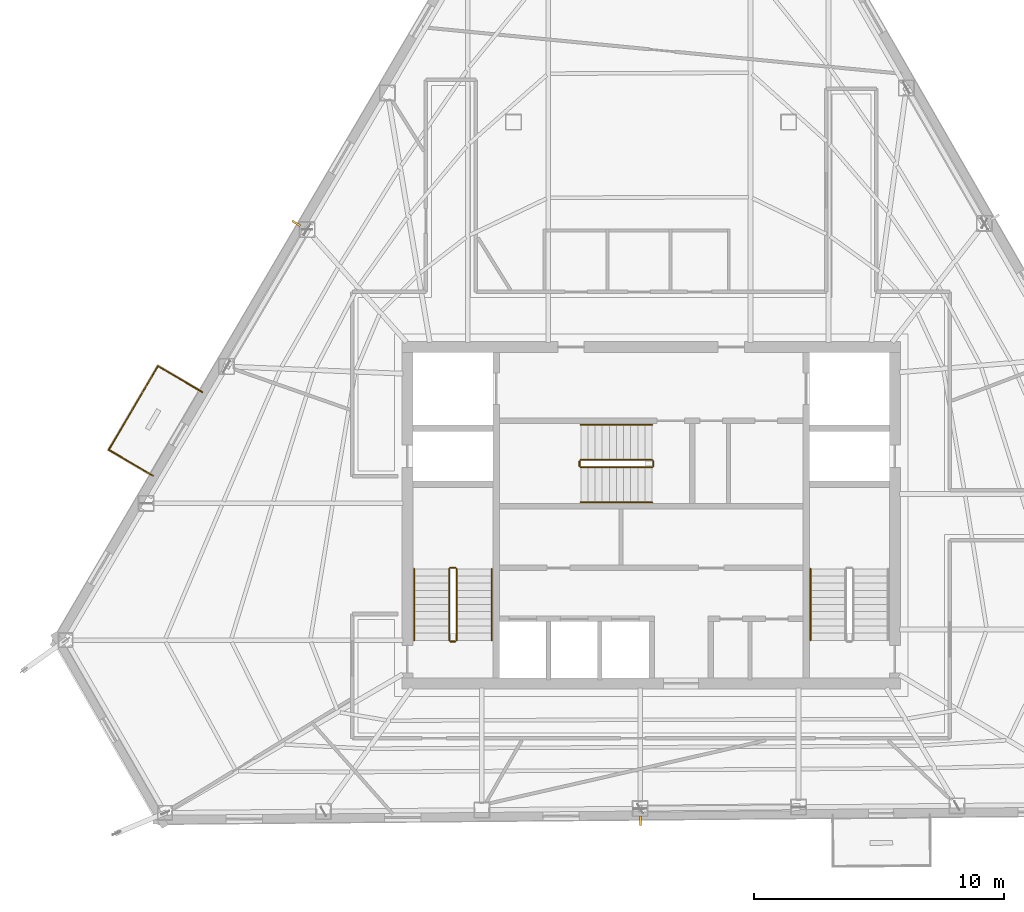
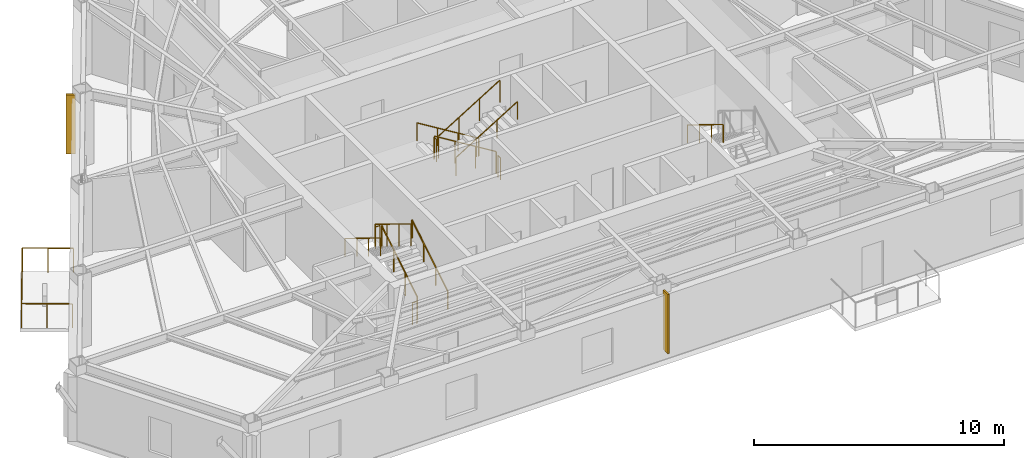
# One storey, part 12 of 14: 16 railings, 2 shading devices.
"""IFC4 building model written with IfcOpenShell, lengths in metres."""

from ifc_helpers import new_model, si_unit, direction, frame, origin, origin_2d, place, context, subcontext, project, spatial, rectangle, circle, extrude, material, layer, layer_set, type_object, element, save


model = new_model("IFC4")

# Units and contexts
model_context = context("Model", 3, precision=1e-05, world=origin(), true_north=direction((0.0, 1.0)))
body_context = subcontext(model_context, "Body", "Model", "MODEL_VIEW")
ifc_project = project(units=[si_unit("LENGTHUNIT", "METRE"), si_unit("AREAUNIT", "SQUARE_METRE"), si_unit("VOLUMEUNIT", "CUBIC_METRE"), si_unit("PLANEANGLEUNIT", "RADIAN"), si_unit("MASSUNIT", "GRAM", prefix="KILO")], contexts=[model_context])

# Site, building, storey
site_placement = place(None, origin())
site = spatial("IfcSite", under=ifc_project, at=site_placement, CompositionType="ELEMENT")
building_placement = place(site_placement, origin())
building = spatial("IfcBuilding", under=site, at=building_placement, Name="Kavelnor Concourse Tower", CompositionType="ELEMENT")
storey_placement = place(building_placement, frame((0.0, 0.0, 215.050048828125)))
storey = spatial("IfcBuildingStorey", under=building, at=storey_placement, Name="L54", CompositionType="ELEMENT", Elevation=215.050048828125)

# Railings
ifc_material_1 = material(Name="Steel Grade 350", Category="steel")
railing_type_1 = type_object("IfcRailingType", Name="RLG-GUARD-1100", PredefinedType="GUARDRAIL", material=ifc_material_1)
railing_1_placement = place(storey_placement, frame((30.22998046875, 11.10009765625, 0.175048828125)))
element("IfcRailing", 1, at=railing_1_placement, inside=storey, type_object=railing_type_1, Name="L54 ST1 stair guard 1", PredefinedType="GUARDRAIL", context=body_context, shape_type="SweptSolid", body=[
    extrude(circle(Radius=0.02392578125, at=origin_2d()), frame((0.0, 0.0, 1.076171875), z_axis=(0.0, 0.852159232446, 0.523282564737), x_axis=(-1.0, 0.0, 0.0)), (0.0, 0.0, 1.0), 3.34423828125),
    extrude(circle(Radius=0.02099609375, at=origin_2d()), origin(), (0.0, 0.0, 1.0), 1.052001953125),
    extrude(circle(Radius=0.02099609375, at=origin_2d()), frame((0.0, 0.949951171875, 0.583251953125)), (0.0, 0.0, 1.0), 1.052001953125),
    extrude(circle(Radius=0.02099609375, at=origin_2d()), frame((0.0, 1.89990234375, 1.166748046875)), (0.0, 0.0, 1.0), 1.052001953125),
    extrude(circle(Radius=0.02099609375, at=origin_2d()), frame((0.0, 2.849853515625, 1.75)), (0.0, 0.0, 1.0), 1.052001953125),
])
railing_2_placement = place(storey_placement, frame((30.179931640625, 14.0, 1.925048828125)))
element("IfcRailing", 2, at=railing_2_placement, inside=storey, type_object=railing_type_1, Name="L54 ST1 stair guard 2", PredefinedType="GUARDRAIL", context=body_context, shape_type="SweptSolid", body=[
    extrude(circle(Radius=0.02392578125, at=origin_2d()), frame((0.0, 0.0, 1.076171875), z_axis=(-1.0, 0.0, 0.0), x_axis=(0.0, -1.0, 0.0)), (0.0, 0.0, 1.0), 0.199951171875),
    extrude(circle(Radius=0.02099609375, at=origin_2d()), origin(), (0.0, 0.0, 1.0), 1.052001953125),
    extrude(circle(Radius=0.02099609375, at=origin_2d()), frame((-0.199951171875, 0.0, 0.0)), (0.0, 0.0, 1.0), 1.052001953125),
])
railing_3_placement = place(storey_placement, frame((29.929931640625, 13.949951171875, 2.099853515625)))
element("IfcRailing", 3, at=railing_3_placement, inside=storey, type_object=railing_type_1, Name="L54 ST1 stair guard 3", PredefinedType="GUARDRAIL", context=body_context, shape_type="SweptSolid", body=[
    extrude(circle(Radius=0.02392578125, at=origin_2d()), frame((0.0, 0.0, 1.076171875), z_axis=(0.0, -0.852159232446, 0.523282564737), x_axis=(1.0, 0.0, 0.0)), (0.0, 0.0, 1.0), 3.34423828125),
    extrude(circle(Radius=0.02099609375, at=origin_2d()), origin(), (0.0, 0.0, 1.0), 1.052001953125),
    extrude(circle(Radius=0.02099609375, at=origin_2d()), frame((0.0, -0.949951171875, 0.583251953125)), (0.0, 0.0, 1.0), 1.052001953125),
    extrude(circle(Radius=0.02099609375, at=origin_2d()), frame((0.0, -1.89990234375, 1.166748046875)), (0.0, 0.0, 1.0), 1.052001953125),
    extrude(circle(Radius=0.02099609375, at=origin_2d()), frame((0.0, -2.849853515625, 1.75)), (0.0, 0.0, 1.0), 1.052001953125),
])
railing_4_placement = place(storey_placement, frame((30.179931640625, 11.050048828125, 0.0)))
element("IfcRailing", 4, at=railing_4_placement, inside=storey, type_object=railing_type_1, Name="L54 ST1 stair guard 4", PredefinedType="GUARDRAIL", context=body_context, shape_type="SweptSolid", body=[
    extrude(circle(Radius=0.02392578125, at=origin_2d()), frame((0.0, 0.0, 1.076171875), z_axis=(-1.0, 0.0, 0.0), x_axis=(0.0, -1.0, 0.0)), (0.0, 0.0, 1.0), 0.199951171875),
    extrude(circle(Radius=0.02099609375, at=origin_2d()), origin(), (0.0, 0.0, 1.0), 1.052001953125),
    extrude(circle(Radius=0.02099609375, at=origin_2d()), frame((-0.199951171875, 0.0, 0.0)), (0.0, 0.0, 1.0), 1.052001953125),
])
railing_5_placement = place(storey_placement, frame((38.0400390625, 18.31005859375, 0.175048828125)))
element("IfcRailing", 5, at=railing_5_placement, inside=storey, type_object=railing_type_1, Name="L54 ST3 stair guard 1", PredefinedType="GUARDRAIL", context=body_context, shape_type="SweptSolid", body=[
    extrude(circle(Radius=0.02392578125, at=origin_2d()), frame((0.0, 0.0, 1.076171875), z_axis=(-0.852179220489, 0.0, 0.52325001306), x_axis=(0.0, -1.0, 0.0)), (0.0, 0.0, 1.0), 3.344482421875),
    extrude(circle(Radius=0.02099609375, at=origin_2d()), origin(), (0.0, 0.0, 1.0), 1.052001953125),
    extrude(circle(Radius=0.02099609375, at=origin_2d()), frame((-0.949951171875, 0.0, 0.583251953125)), (0.0, 0.0, 1.0), 1.052001953125),
    extrude(circle(Radius=0.02099609375, at=origin_2d()), frame((-1.900146484375, 0.0, 1.166748046875)), (0.0, 0.0, 1.0), 1.052001953125),
    extrude(circle(Radius=0.02099609375, at=origin_2d()), frame((-2.85009765625, 0.0, 1.75)), (0.0, 0.0, 1.0), 1.052001953125),
])
railing_6_placement = place(storey_placement, frame((35.139892578125, 18.260009765625, 1.925048828125)))
element("IfcRailing", 6, at=railing_6_placement, inside=storey, type_object=railing_type_1, Name="L54 ST3 stair guard 2", PredefinedType="GUARDRAIL", context=body_context, shape_type="SweptSolid", body=[
    extrude(circle(Radius=0.02392578125, at=origin_2d()), frame((0.0, 0.0, 1.076171875), z_axis=(0.0, -1.0, 0.0), x_axis=(1.0, 0.0, 0.0)), (0.0, 0.0, 1.0), 0.199951171875),
    extrude(circle(Radius=0.02099609375, at=origin_2d()), origin(), (0.0, 0.0, 1.0), 1.052001953125),
    extrude(circle(Radius=0.02099609375, at=origin_2d()), frame((0.0, -0.199951171875, 0.0)), (0.0, 0.0, 1.0), 1.052001953125),
])
railing_7_placement = place(storey_placement, frame((35.18994140625, 18.010009765625, 2.099853515625)))
element("IfcRailing", 7, at=railing_7_placement, inside=storey, type_object=railing_type_1, Name="L54 ST3 stair guard 3", PredefinedType="GUARDRAIL", context=body_context, shape_type="SweptSolid", body=[
    extrude(circle(Radius=0.02392578125, at=origin_2d()), frame((0.0, 0.0, 1.076171875), z_axis=(0.852179220489, 0.0, 0.52325001306), x_axis=(0.0, 1.0, 0.0)), (0.0, 0.0, 1.0), 3.344482421875),
    extrude(circle(Radius=0.02099609375, at=origin_2d()), origin(), (0.0, 0.0, 1.0), 1.052001953125),
    extrude(circle(Radius=0.02099609375, at=origin_2d()), frame((0.949951171875, 0.0, 0.583251953125)), (0.0, 0.0, 1.0), 1.052001953125),
    extrude(circle(Radius=0.02099609375, at=origin_2d()), frame((1.900146484375, 0.0, 1.166748046875)), (0.0, 0.0, 1.0), 1.052001953125),
    extrude(circle(Radius=0.02099609375, at=origin_2d()), frame((2.85009765625, 0.0, 1.75)), (0.0, 0.0, 1.0), 1.052001953125),
])
railing_8_placement = place(storey_placement, frame((38.090087890625, 18.260009765625, 0.0)))
element("IfcRailing", 8, at=railing_8_placement, inside=storey, type_object=railing_type_1, Name="L54 ST3 stair guard 4", PredefinedType="GUARDRAIL", context=body_context, shape_type="SweptSolid", body=[
    extrude(circle(Radius=0.02392578125, at=origin_2d()), frame((0.0, 0.0, 1.076171875), z_axis=(0.0, -1.0, 0.0), x_axis=(1.0, 0.0, 0.0)), (0.0, 0.0, 1.0), 0.199951171875),
    extrude(circle(Radius=0.02099609375, at=origin_2d()), origin(), (0.0, 0.0, 1.0), 1.052001953125),
    extrude(circle(Radius=0.02099609375, at=origin_2d()), frame((0.0, -0.199951171875, 0.0)), (0.0, 0.0, 1.0), 1.052001953125),
])
railing_type_2 = type_object("IfcRailingType", Name="RLG-HANDRAIL-900", PredefinedType="HANDRAIL", material=ifc_material_1)
railing_9_placement = place(storey_placement, frame((31.6298828125, 11.10009765625, 0.175048828125)))
element("IfcRailing", 9, at=railing_9_placement, inside=storey, type_object=railing_type_2, Name="L54 ST1 stair handrail 1", PredefinedType="HANDRAIL", context=body_context, shape_type="SweptSolid", body=[
    extrude(circle(Radius=0.02392578125, at=origin_2d()), frame((0.0, 0.0, 0.8759765625), z_axis=(0.0, 0.852159232446, 0.523282564737), x_axis=(-1.0, 0.0, 0.0)), (0.0, 0.0, 1.0), 3.34423828125),
    extrude(circle(Radius=0.02099609375, at=origin_2d()), origin(), (0.0, 0.0, 1.0), 0.851806640625),
    extrude(circle(Radius=0.02099609375, at=origin_2d()), frame((0.0, 0.949951171875, 0.583251953125)), (0.0, 0.0, 1.0), 0.851806640625),
    extrude(circle(Radius=0.02099609375, at=origin_2d()), frame((0.0, 1.89990234375, 1.166748046875)), (0.0, 0.0, 1.0), 0.851806640625),
    extrude(circle(Radius=0.02099609375, at=origin_2d()), frame((0.0, 2.849853515625, 1.75)), (0.0, 0.0, 1.0), 0.851806640625),
])
for number, where, name in (
    (10, (28.530029296875, 13.949951171875, 2.099853515625), "L54 ST1 stair handrail 2"),
    (11, (44.3701171875, 13.949951171875, 2.099853515625), "L54 ST2 stair handrail 2"),
):
    element("IfcRailing", number, at=place(storey_placement, frame(where)), inside=storey, type_object=railing_type_2, Name=name, PredefinedType="HANDRAIL", context=body_context, shape_type="SweptSolid", body=[
        extrude(circle(Radius=0.02392578125, at=origin_2d()), frame((0.0, 0.0, 0.8759765625), z_axis=(0.0, -0.852159232446, 0.523282564737), x_axis=(1.0, 0.0, 0.0)), (0.0, 0.0, 1.0), 3.34423828125),
        extrude(circle(Radius=0.02099609375, at=origin_2d()), origin(), (0.0, 0.0, 1.0), 0.851806640625),
        extrude(circle(Radius=0.02099609375, at=origin_2d()), frame((0.0, -0.949951171875, 0.583251953125)), (0.0, 0.0, 1.0), 0.851806640625),
        extrude(circle(Radius=0.02099609375, at=origin_2d()), frame((0.0, -1.89990234375, 1.166748046875)), (0.0, 0.0, 1.0), 0.851806640625),
        extrude(circle(Radius=0.02099609375, at=origin_2d()), frame((0.0, -2.849853515625, 1.75)), (0.0, 0.0, 1.0), 0.851806640625),
    ])
railing_10_placement = place(storey_placement, frame((38.0400390625, 19.7099609375, 0.175048828125)))
element("IfcRailing", 12, at=railing_10_placement, inside=storey, type_object=railing_type_2, Name="L54 ST3 stair handrail 1", PredefinedType="HANDRAIL", context=body_context, shape_type="SweptSolid", body=[
    extrude(circle(Radius=0.02392578125, at=origin_2d()), frame((0.0, 0.0, 0.8759765625), z_axis=(-0.852179220489, 0.0, 0.52325001306), x_axis=(0.0, -1.0, 0.0)), (0.0, 0.0, 1.0), 3.344482421875),
    extrude(circle(Radius=0.02099609375, at=origin_2d()), origin(), (0.0, 0.0, 1.0), 0.851806640625),
    extrude(circle(Radius=0.02099609375, at=origin_2d()), frame((-0.949951171875, 0.0, 0.583251953125)), (0.0, 0.0, 1.0), 0.851806640625),
    extrude(circle(Radius=0.02099609375, at=origin_2d()), frame((-1.900146484375, 0.0, 1.166748046875)), (0.0, 0.0, 1.0), 0.851806640625),
    extrude(circle(Radius=0.02099609375, at=origin_2d()), frame((-2.85009765625, 0.0, 1.75)), (0.0, 0.0, 1.0), 0.851806640625),
])
railing_11_placement = place(storey_placement, frame((35.18994140625, 16.610107421875, 2.099853515625)))
element("IfcRailing", 13, at=railing_11_placement, inside=storey, type_object=railing_type_2, Name="L54 ST3 stair handrail 2", PredefinedType="HANDRAIL", context=body_context, shape_type="SweptSolid", body=[
    extrude(circle(Radius=0.02392578125, at=origin_2d()), frame((0.0, 0.0, 0.8759765625), z_axis=(0.852179220489, 0.0, 0.52325001306), x_axis=(0.0, 1.0, 0.0)), (0.0, 0.0, 1.0), 3.344482421875),
    extrude(circle(Radius=0.02099609375, at=origin_2d()), origin(), (0.0, 0.0, 1.0), 0.851806640625),
    extrude(circle(Radius=0.02099609375, at=origin_2d()), frame((0.949951171875, 0.0, 0.583251953125)), (0.0, 0.0, 1.0), 0.851806640625),
    extrude(circle(Radius=0.02099609375, at=origin_2d()), frame((1.900146484375, 0.0, 1.166748046875)), (0.0, 0.0, 1.0), 0.851806640625),
    extrude(circle(Radius=0.02099609375, at=origin_2d()), frame((2.85009765625, 0.0, 1.75)), (0.0, 0.0, 1.0), 0.851806640625),
])
ifc_material_2 = material(Name="Architectural bronze-anodised aluminium", Category="aluminium")
railing_type_3 = type_object("IfcRailingType", Name="RLG-TERRACE-1200", PredefinedType="BALUSTRADE", material=ifc_material_2)
railing_12_placement = place(storey_placement, frame((20.06201171875, 21.017578125, 0.0)))
element("IfcRailing", 14, at=railing_12_placement, inside=storey, type_object=railing_type_3, Name="L54 Tree Balcony 1 Guardrail L", PredefinedType="BALUSTRADE", context=body_context, shape_type="SweptSolid", body=[
    extrude(circle(Radius=0.02392578125, at=origin_2d()), frame((0.0, 0.0, 1.17578125), z_axis=(-0.862102548764, 0.506733850669, 0.0), x_axis=(-0.506733850669, -0.862102548764, 0.0)), (0.0, 0.0, 1.0), 2.050048828125),
    extrude(circle(Radius=0.02099609375, at=origin_2d()), origin(), (0.0, 0.0, 1.0), 1.15185546875),
    extrude(circle(Radius=0.02099609375, at=origin_2d()), frame((-0.8837890625, 0.51953125, 0.0)), (0.0, 0.0, 1.0), 1.15185546875),
    extrude(circle(Radius=0.02099609375, at=origin_2d()), frame((-1.767333984375, 1.038818359375, 0.0)), (0.0, 0.0, 1.0), 1.15185546875),
])
railing_13_placement = place(storey_placement, frame((18.294677734375, 22.056396484375, 0.0)))
element("IfcRailing", 15, at=railing_13_placement, inside=storey, type_object=railing_type_3, Name="L54 Tree Balcony 1 Guardrail F", PredefinedType="BALUSTRADE", context=body_context, shape_type="SweptSolid", body=[
    extrude(circle(Radius=0.02392578125, at=origin_2d()), frame((0.0, 0.0, 1.17578125), z_axis=(-0.506646106767, -0.862154117602, 0.0), x_axis=(0.862154117602, -0.506646106767, 0.0)), (0.0, 0.0, 1.0), 3.880126953125),
    extrude(circle(Radius=0.02099609375, at=origin_2d()), origin(), (0.0, 0.0, 1.0), 1.15185546875),
    extrude(circle(Radius=0.02099609375, at=origin_2d()), frame((-0.491455078125, -0.83642578125, 0.0)), (0.0, 0.0, 1.0), 1.15185546875),
    extrude(circle(Radius=0.02099609375, at=origin_2d()), frame((-0.98291015625, -1.672607421875, 0.0)), (0.0, 0.0, 1.0), 1.15185546875),
    extrude(circle(Radius=0.02099609375, at=origin_2d()), frame((-1.474365234375, -2.5087890625, 0.0)), (0.0, 0.0, 1.0), 1.15185546875),
    extrude(circle(Radius=0.02099609375, at=origin_2d()), frame((-1.9658203125, -3.34521484375, 0.0)), (0.0, 0.0, 1.0), 1.15185546875),
])
railing_14_placement = place(storey_placement, frame((16.328857421875, 18.711181640625, 0.0)))
element("IfcRailing", 16, at=railing_14_placement, inside=storey, type_object=railing_type_3, Name="L54 Tree Balcony 1 Guardrail R", PredefinedType="BALUSTRADE", context=body_context, shape_type="SweptSolid", body=[
    extrude(circle(Radius=0.02392578125, at=origin_2d()), frame((0.0, 0.0, 1.17578125), z_axis=(0.862154573211, -0.50664533146, 0.0), x_axis=(0.50664533146, 0.862154573211, 0.0)), (0.0, 0.0, 1.0), 2.0498046875),
    extrude(circle(Radius=0.02099609375, at=origin_2d()), origin(), (0.0, 0.0, 1.0), 1.15185546875),
    extrude(circle(Radius=0.02099609375, at=origin_2d()), frame((0.8837890625, -0.519287109375, 0.0)), (0.0, 0.0, 1.0), 1.15185546875),
    extrude(circle(Radius=0.02099609375, at=origin_2d()), frame((1.767333984375, -1.03857421875, 0.0)), (0.0, 0.0, 1.0), 1.15185546875),
])

# Shading devices
ifc_layer = layer(ifc_material_2, 0.06005859375, Name="Architectural bronze-anodised aluminium")
ifc_layer_set = layer_set([ifc_layer], Name="Architectural bronze-anodised aluminium")
shading_device_type = type_object("IfcShadingDeviceType", Name="SHD-SOLAR-FIN", PredefinedType="JALOUSIE", material=ifc_layer_set)
for number, where, z_axis, x_axis, name in (
    (17, (23.825439453125, 27.757080078125, 0.39990234375), (0.0, 0.0, 1.0), (-0.862160180834, 0.50663578889, 0.0), "L54 Bronze Pier Solar Fin F0"),
    (18, (37.569580078125, 3.881591796875, 0.39990234375), (0.0, 0.0, 1.0), (0.009075587519, -0.999958816008, 0.0), "L54 Bronze Pier Solar Fin F1"),
):
    element("IfcShadingDevice", number, at=place(storey_placement, frame(where, z_axis=z_axis, x_axis=x_axis)), inside=storey, type_object=shading_device_type, Name=name, PredefinedType="JALOUSIE", context=body_context, shape_type="SweptSolid", body=[
        extrude(rectangle(XDim=0.3798828125, YDim=0.080078125, at=origin_2d()), origin(), (0.0, 0.0, 1.0), 2.89990234375),
    ])

save(model, "model.ifc")
